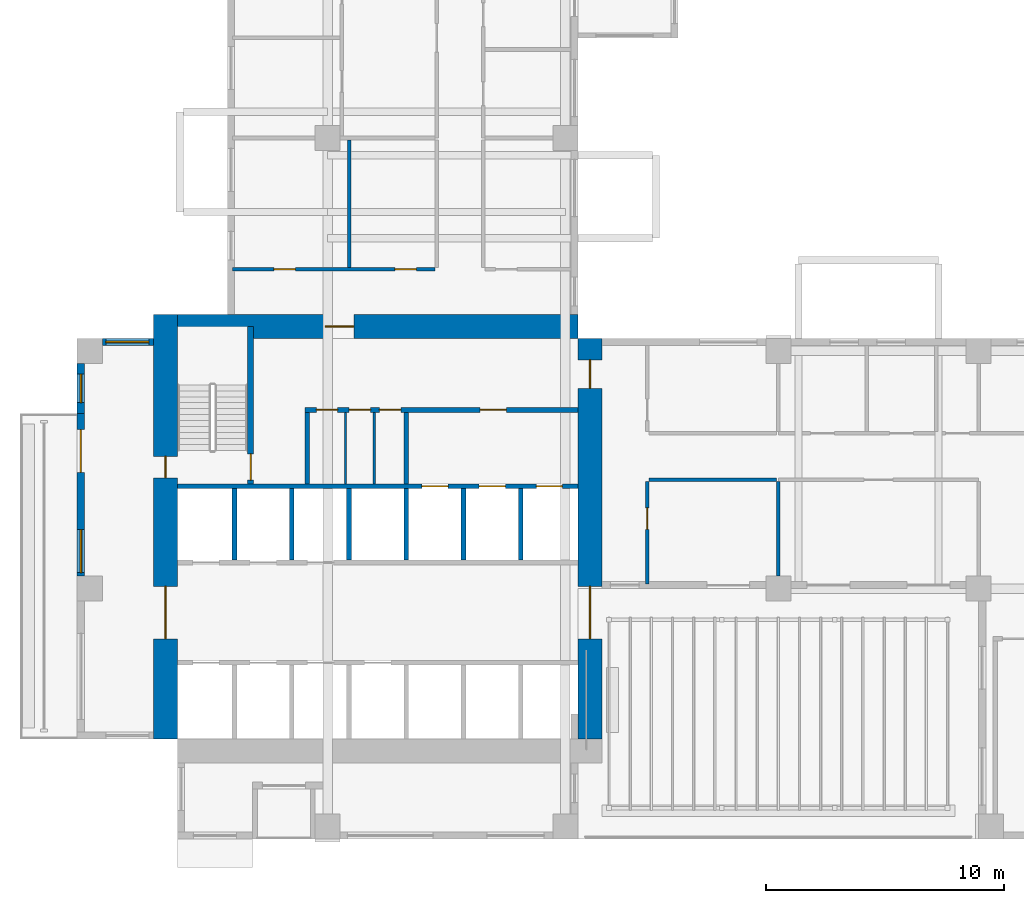
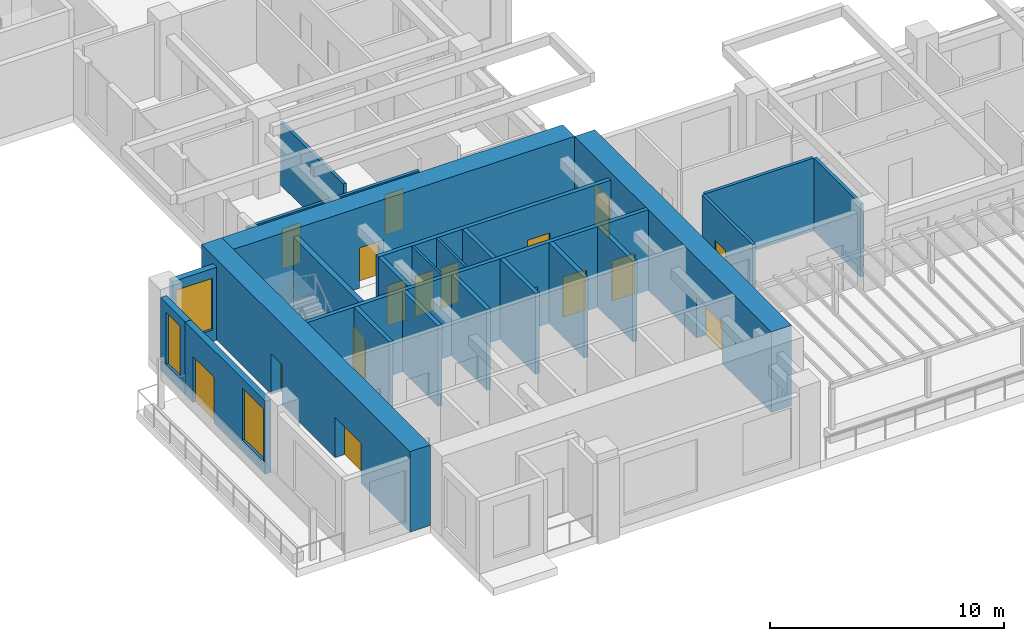
# One storey, part 4 of 15: 24 walls, 17 doors, 3 windows, 20 openings.
"""IFC4 building model written with IfcOpenShell, lengths in metres."""

from ifc_helpers import new_model, si_unit, direction, frame, frame_2d, origin, place, context, subcontext, project, spatial, rectangle, extrude, source, transform, mapped, material, layer, layer_set, type_object, element, fill, save


model = new_model("IFC4")

# Units and contexts
model_context = context("Model", 3, precision=1e-05, world=origin(), true_north=direction((0.0, 1.0)))
body_context = subcontext(model_context, "Body", "Model", "MODEL_VIEW")
ifc_project = project(units=[si_unit("LENGTHUNIT", "METRE"), si_unit("AREAUNIT", "SQUARE_METRE"), si_unit("VOLUMEUNIT", "CUBIC_METRE"), si_unit("PLANEANGLEUNIT", "RADIAN"), si_unit("MASSUNIT", "GRAM", prefix="KILO")], contexts=[model_context])

# Site, building, storey
site_placement = place(None, origin())
site = spatial("IfcSite", under=ifc_project, at=site_placement, CompositionType="ELEMENT")
building_placement = place(site_placement, origin())
building = spatial("IfcBuilding", under=site, at=building_placement, Name="Aurelian Terraces", CompositionType="ELEMENT")
storey_placement = place(building_placement, frame((0.0, 0.0, 145.5)))
storey = spatial("IfcBuildingStorey", under=building, at=storey_placement, Name="L32", CompositionType="ELEMENT", Elevation=145.5)

# Wall
ifc_material_1 = material(Name="Gypsum board on steel studs", Category="steel")
ifc_layer_1 = layer(ifc_material_1, 0.15)
ifc_layer_set_1 = layer_set([ifc_layer_1], Name="Partition 150")
wall_type_1 = type_object("IfcWallType", Name="Partition 150", PredefinedType="PARTITIONING", material=ifc_layer_set_1)
wall_1_placement = place(storey_placement, frame((11.4, 23.975, 0.0), z_axis=(0.0, 0.0, 1.0), x_axis=(0.0, 1.0, 0.0)))
element("IfcWall", 1, at=wall_1_placement, inside=storey, type_object=wall_type_1, Name="Partition", PredefinedType="PARTITIONING", context=body_context, shape_type="SweptSolid", body=[
    extrude(rectangle(XDim=5.35, YDim=0.15, at=frame_2d((2.675, 0.0))), origin(), (0.0, 0.0, 1.0), 3.3),
])

# Wall, openings, doors
ifc_material_2 = material(Name="Concrete fc' 83 MPa", Category="concrete")
ifc_layer_2 = layer(ifc_material_2, 1.0)
ifc_layer_set_2 = layer_set([ifc_layer_2], Name="CORE WALL 1000 FC83")
wall_type_2 = type_object("IfcWallType", Name="CORE WALL 1000 FC83", PredefinedType="SHEAR", material=ifc_layer_set_2)
shared_shape_1 = source(origin(), body_context, "Body", "SweptSolid", [
    extrude(rectangle(XDim=17.8, YDim=1.0, at=frame_2d((8.9, 0.0))), origin(), (0.0, 0.0, 1.0), 4.2),
])
wall_2_placement = place(storey_placement, frame((3.7, 4.2, 0.0), z_axis=(0.0, 0.0, 1.0), x_axis=(0.0, 1.0, 0.0)))
wall_2 = element("IfcWall", 2, at=wall_2_placement, inside=storey, type_object=wall_type_2, Name="Core wall W L32", PredefinedType="SHEAR", context=body_context, shape_type="MappedRepresentation", body=[
    mapped(shared_shape_1, transform((0.0, 0.0, 0.0), scale=1.0)),
])
shared_shape_2 = source(origin(), body_context, "Body", "SweptSolid", [
    extrude(rectangle(XDim=2.2, YDim=2.1, at=frame_2d((1.1, 1.05))), frame((0.0, 0.51, 0.0), z_axis=(0.0, -1.0, 0.0), x_axis=(1.0, 0.0, 0.0)), (0.0, 0.0, 1.0), 1.02),
])
opening_1_placement = place(wall_2_placement, frame((4.2, 0.0, 0.0)))
opening_1 = element("IfcOpeningElement", 3, at=opening_1_placement, cuts=wall_2, Name="Opening 63522", PredefinedType="OPENING", context=body_context, shape_type="MappedRepresentation", body=[
    mapped(shared_shape_2, transform((0.0, 0.0, 0.0), scale=1.0)),
])
shared_shape_3 = source(origin(), body_context, "Body", "SweptSolid", [
    extrude(rectangle(XDim=0.9, YDim=2.1, at=frame_2d((0.45, 1.05))), frame((0.0, 0.51, 0.0), z_axis=(0.0, -1.0, 0.0), x_axis=(1.0, 0.0, 0.0)), (0.0, 0.0, 1.0), 1.02),
])
opening_2_placement = place(wall_2_placement, frame((10.95, 0.0, 0.0)))
opening_2 = element("IfcOpeningElement", 4, at=opening_2_placement, cuts=wall_2, Name="Opening 63525", PredefinedType="OPENING", context=body_context, shape_type="MappedRepresentation", body=[
    mapped(shared_shape_3, transform((0.0, 0.0, 0.0), scale=1.0)),
])
ifc_material_3 = material(Name="Steel door leaf", Category="steel")
door_type_1 = type_object("IfcDoorType", Name="Core service door 900x2100 right", OperationType="SINGLE_SWING_RIGHT", PredefinedType="DOOR", material=ifc_material_3)
shared_shape_4 = source(origin(), body_context, "Body", "SweptSolid", [
    extrude(rectangle(XDim=0.9, YDim=2.1, at=frame_2d((0.45, 1.05))), frame((0.0, 0.025, 0.0), z_axis=(0.0, -1.0, 0.0), x_axis=(1.0, 0.0, 0.0)), (0.0, 0.0, 1.0), 0.05),
])
door_1_placement = place(opening_2_placement, origin())
door_1 = element("IfcDoor", 5, at=door_1_placement, inside=storey, type_object=door_type_1, Name="Core door 63525", OperationType="SINGLE_SWING_RIGHT", OverallHeight=2.1, OverallWidth=0.9, PredefinedType="DOOR", context=body_context, shape_type="MappedRepresentation", body=[
    mapped(shared_shape_4, transform((0.0, 0.0, 0.0), scale=1.0)),
])
fill(opening_2, door_1)
door_type_2 = type_object("IfcDoorType", Name="Core double door 2200x2100", OperationType="DOUBLE_DOOR_SINGLE_SWING", PredefinedType="DOOR", material=ifc_material_3)
shared_shape_5 = source(origin(), body_context, "Body", "SweptSolid", [
    extrude(rectangle(XDim=2.2, YDim=2.1, at=frame_2d((1.1, 1.05))), frame((0.0, 0.025, 0.0), z_axis=(0.0, -1.0, 0.0), x_axis=(1.0, 0.0, 0.0)), (0.0, 0.0, 1.0), 0.05),
])
door_2_placement = place(opening_1_placement, origin())
door_2 = element("IfcDoor", 6, at=door_2_placement, inside=storey, type_object=door_type_2, Name="Core door 63522", OperationType="DOUBLE_DOOR_SINGLE_SWING", OverallHeight=2.1, OverallWidth=2.2, PredefinedType="DOOR", context=body_context, shape_type="MappedRepresentation", body=[
    mapped(shared_shape_5, transform((0.0, 0.0, 0.0), scale=1.0)),
])
fill(opening_1, door_2)

shared_shape_6 = source(origin(), body_context, "Body", "SweptSolid", [
    extrude(rectangle(XDim=16.8, YDim=1.0, at=frame_2d((8.4, 0.0))), origin(), (0.0, 0.0, 1.0), 4.2),
])
wall_3_placement = place(storey_placement, frame((21.5, 4.2, 0.0), z_axis=(0.0, 0.0, 1.0), x_axis=(0.0, 1.0, 0.0)))
wall_3 = element("IfcWall", 7, at=wall_3_placement, inside=storey, type_object=wall_type_2, Name="Core wall E L32", PredefinedType="SHEAR", context=body_context, shape_type="MappedRepresentation", body=[
    mapped(shared_shape_6, transform((0.0, 0.0, 0.0), scale=1.0)),
])
opening_3_placement = place(wall_3_placement, frame((4.2, 0.0, 0.0)))
opening_3 = element("IfcOpeningElement", 8, at=opening_3_placement, cuts=wall_3, Name="Opening 63521", PredefinedType="OPENING", context=body_context, shape_type="MappedRepresentation", body=[
    mapped(shared_shape_2, transform((0.0, 0.0, 0.0), scale=1.0)),
])
shared_shape_7 = source(origin(), body_context, "Body", "SweptSolid", [
    extrude(rectangle(XDim=1.2, YDim=2.1, at=frame_2d((0.6, 1.05))), frame((0.0, 0.51, 0.0), z_axis=(0.0, -1.0, 0.0), x_axis=(1.0, 0.0, 0.0)), (0.0, 0.0, 1.0), 1.02),
])
opening_4_placement = place(wall_3_placement, frame((14.7, 0.0, 0.0)))
opening_4 = element("IfcOpeningElement", 9, at=opening_4_placement, cuts=wall_3, Name="Opening 63524", PredefinedType="OPENING", context=body_context, shape_type="MappedRepresentation", body=[
    mapped(shared_shape_7, transform((0.0, 0.0, 0.0), scale=1.0)),
])
door_type_3 = type_object("IfcDoorType", Name="Core fire door 1200x2100", OperationType="SINGLE_SWING_LEFT", PredefinedType="DOOR", material=ifc_material_3)
shared_shape_8 = source(origin(), body_context, "Body", "SweptSolid", [
    extrude(rectangle(XDim=1.2, YDim=2.1, at=frame_2d((0.6, 1.05))), frame((0.0, 0.025, 0.0), z_axis=(0.0, -1.0, 0.0), x_axis=(1.0, 0.0, 0.0)), (0.0, 0.0, 1.0), 0.05),
])
door_3_placement = place(opening_4_placement, origin())
door_3 = element("IfcDoor", 10, at=door_3_placement, inside=storey, type_object=door_type_3, Name="Core door 63524", OperationType="SINGLE_SWING_LEFT", OverallHeight=2.1, OverallWidth=1.2, PredefinedType="DOOR", context=body_context, shape_type="MappedRepresentation", body=[
    mapped(shared_shape_8, transform((0.0, 0.0, 0.0), scale=1.0)),
])
fill(opening_4, door_3)
door_4_placement = place(opening_3_placement, origin())
door_4 = element("IfcDoor", 11, at=door_4_placement, inside=storey, type_object=door_type_2, Name="Core door 63521", OperationType="DOUBLE_DOOR_SINGLE_SWING", OverallHeight=2.1, OverallWidth=2.2, PredefinedType="DOOR", context=body_context, shape_type="MappedRepresentation", body=[
    mapped(shared_shape_5, transform((0.0, 0.0, 0.0), scale=1.0)),
])
fill(opening_3, door_4)

# Wall, opening, door
wall_4_placement = place(storey_placement, frame((4.2, 21.5, 0.0), z_axis=(0.0, 0.0, 1.0), x_axis=(1.0, 0.0, 0.0)))
wall_4 = element("IfcWall", 12, at=wall_4_placement, inside=storey, type_object=wall_type_2, Name="Core wall N L32", PredefinedType="SHEAR", context=body_context, shape_type="MappedRepresentation", body=[
    mapped(shared_shape_6, transform((0.0, 0.0, 0.0), scale=1.0)),
])
opening_5_placement = place(wall_4_placement, frame((6.2, 0.0, 0.0)))
opening_5 = element("IfcOpeningElement", 13, at=opening_5_placement, cuts=wall_4, Name="Opening 63523", PredefinedType="OPENING", context=body_context, shape_type="MappedRepresentation", body=[
    mapped(shared_shape_7, transform((0.0, 0.0, 0.0), scale=1.0)),
])
door_type_4 = type_object("IfcDoorType", Name="Core fire door 1200x2100 right", OperationType="SINGLE_SWING_RIGHT", PredefinedType="DOOR", material=ifc_material_3)
door_5_placement = place(opening_5_placement, origin())
door_5 = element("IfcDoor", 14, at=door_5_placement, inside=storey, type_object=door_type_4, Name="Core door 63523", OperationType="SINGLE_SWING_RIGHT", OverallHeight=2.1, OverallWidth=1.2, PredefinedType="DOOR", context=body_context, shape_type="MappedRepresentation", body=[
    mapped(shared_shape_8, transform((0.0, 0.0, 0.0), scale=1.0)),
])
fill(opening_5, door_5)

# Wall, opening, window
ifc_material_4 = material(Name="Terracotta rainscreen cladding", Category="masonry")
ifc_layer_3 = layer(ifc_material_4, 0.3)
ifc_layer_set_3 = layer_set([ifc_layer_3], Name="EW-300")
wall_type_3 = type_object("IfcWallType", Name="EW-300", PredefinedType="STANDARD", material=ifc_layer_set_3)
shared_shape_9 = source(origin(), body_context, "Body", "SweptSolid", [
    extrude(rectangle(XDim=2.15, YDim=0.3, at=frame_2d((1.075, 0.0))), origin(), (0.0, 0.0, 1.0), 3.8),
])
wall_5_placement = place(storey_placement, frame((3.2, 20.85, 0.0), z_axis=(0.0, 0.0, 1.0), x_axis=(-1.0, 0.0, 0.0)))
wall_5 = element("IfcWall", 15, at=wall_5_placement, inside=storey, type_object=wall_type_3, Name="External wall L32 F23.39", PredefinedType="STANDARD", context=body_context, shape_type="MappedRepresentation", body=[
    mapped(shared_shape_9, transform((0.0, 0.0, 0.0), scale=1.0)),
])
shared_shape_10 = source(origin(), body_context, "Body", "SweptSolid", [
    extrude(rectangle(XDim=1.8, YDim=2.7, at=frame_2d((0.9, 1.35))), frame((0.0, 0.16, 0.0), z_axis=(0.0, -1.0, 0.0), x_axis=(1.0, 0.0, 0.0)), (0.0, 0.0, 1.0), 0.32),
])
opening_6_placement = place(wall_5_placement, frame((0.2, 0.0, 0.6)))
opening_6 = element("IfcOpeningElement", 16, at=opening_6_placement, cuts=wall_5, Name="Opening W1827", PredefinedType="OPENING", context=body_context, shape_type="MappedRepresentation", body=[
    mapped(shared_shape_10, transform((0.0, 0.0, 0.0), scale=1.0)),
])
ifc_material_5 = material(Name="Clear glazing", Category="glass")
window_type_1 = type_object("IfcWindowType", Name="W-1800x2700", PartitioningType="SINGLE_PANEL", PredefinedType="WINDOW", material=ifc_material_5)
shared_shape_11 = source(origin(), body_context, "Body", "SweptSolid", [
    extrude(rectangle(XDim=1.8, YDim=2.7, at=frame_2d((0.9, 1.35))), frame((0.0, 0.03, 0.0), z_axis=(0.0, -1.0, 0.0), x_axis=(1.0, 0.0, 0.0)), (0.0, 0.0, 1.0), 0.06),
])
window_1_placement = place(opening_6_placement, origin())
window_1 = element("IfcWindow", 17, at=window_1_placement, inside=storey, type_object=window_type_1, Name="Window L32 L32-F23-39-0", OverallHeight=2.7, OverallWidth=1.8, PartitioningType="SINGLE_PANEL", PredefinedType="WINDOW", context=body_context, shape_type="MappedRepresentation", body=[
    mapped(shared_shape_11, transform((0.0, 0.0, 0.0), scale=1.0)),
])
fill(opening_6, window_1)

shared_shape_12 = source(origin(), body_context, "Body", "SweptSolid", [
    extrude(rectangle(XDim=2.1, YDim=0.3, at=frame_2d((1.05, 0.0))), origin(), (0.0, 0.0, 1.0), 3.8),
])
wall_6_placement = place(storey_placement, frame((0.15, 19.95, 0.0), z_axis=(0.0, 0.0, 1.0), x_axis=(0.0, -1.0, 0.0)))
wall_6 = element("IfcWall", 18, at=wall_6_placement, inside=storey, type_object=wall_type_3, Name="External wall L32 F24.40", PredefinedType="STANDARD", context=body_context, shape_type="MappedRepresentation", body=[
    mapped(shared_shape_12, transform((0.0, 0.0, 0.0), scale=1.0)),
])
shared_shape_13 = source(origin(), body_context, "Body", "SweptSolid", [
    extrude(rectangle(XDim=1.2, YDim=2.7, at=frame_2d((0.6, 1.35))), frame((0.0, 0.16, 0.0), z_axis=(0.0, -1.0, 0.0), x_axis=(1.0, 0.0, 0.0)), (0.0, 0.0, 1.0), 0.32),
])
opening_7_placement = place(wall_6_placement, frame((0.45, 0.0, 0.6)))
opening_7 = element("IfcOpeningElement", 19, at=opening_7_placement, cuts=wall_6, Name="Opening W1227", PredefinedType="OPENING", context=body_context, shape_type="MappedRepresentation", body=[
    mapped(shared_shape_13, transform((0.0, 0.0, 0.0), scale=1.0)),
])
window_type_2 = type_object("IfcWindowType", Name="W-1200x2700", PartitioningType="SINGLE_PANEL", PredefinedType="WINDOW", material=ifc_material_5)
shared_shape_14 = source(origin(), body_context, "Body", "SweptSolid", [
    extrude(rectangle(XDim=1.2, YDim=2.7, at=frame_2d((0.6, 1.35))), frame((0.0, 0.03, 0.0), z_axis=(0.0, -1.0, 0.0), x_axis=(1.0, 0.0, 0.0)), (0.0, 0.0, 1.0), 0.06),
])
window_2_placement = place(opening_7_placement, origin())
window_2 = element("IfcWindow", 20, at=window_2_placement, inside=storey, type_object=window_type_2, Name="Window L32 L32-F24-40-P0", OverallHeight=2.7, OverallWidth=1.2, PartitioningType="SINGLE_PANEL", PredefinedType="WINDOW", context=body_context, shape_type="MappedRepresentation", body=[
    mapped(shared_shape_14, transform((0.0, 0.0, 0.0), scale=1.0)),
])
fill(opening_7, window_2)

# Wall, openings, door, window
shared_shape_15 = source(origin(), body_context, "Body", "SweptSolid", [
    extrude(rectangle(XDim=6.825, YDim=0.3, at=frame_2d((3.4125, 0.0))), origin(), (0.0, 0.0, 1.0), 3.8),
])
wall_7_placement = place(storey_placement, frame((0.15, 17.85, 0.0), z_axis=(0.0, 0.0, 1.0), x_axis=(0.0, -1.0, 0.0)))
wall_7 = element("IfcWall", 21, at=wall_7_placement, inside=storey, type_object=wall_type_3, Name="External wall L32 F24.41", PredefinedType="STANDARD", context=body_context, shape_type="MappedRepresentation", body=[
    mapped(shared_shape_15, transform((0.0, 0.0, 0.0), scale=1.0)),
])
shared_shape_16 = source(origin(), body_context, "Body", "SweptSolid", [
    extrude(rectangle(XDim=1.8, YDim=2.4, at=frame_2d((0.9, 1.2))), frame((0.0, 0.16, 0.0), z_axis=(0.0, -1.0, 0.0), x_axis=(1.0, 0.0, 0.0)), (0.0, 0.0, 1.0), 0.32),
])
opening_8_placement = place(wall_7_placement, frame((0.675, 0.0, 0.0)))
opening_8 = element("IfcOpeningElement", 22, at=opening_8_placement, cuts=wall_7, Name="Opening 83206", PredefinedType="OPENING", context=body_context, shape_type="MappedRepresentation", body=[
    mapped(shared_shape_16, transform((0.0, 0.0, 0.0), scale=1.0)),
])
opening_9_placement = place(wall_7_placement, frame((4.875, 0.0, 0.6)))
opening_9 = element("IfcOpeningElement", 23, at=opening_9_placement, cuts=wall_7, Name="Opening W1827", PredefinedType="OPENING", context=body_context, shape_type="MappedRepresentation", body=[
    mapped(shared_shape_10, transform((0.0, 0.0, 0.0), scale=1.0)),
])
door_type_5 = type_object("IfcDoorType", Name="BD-1800x2400", OperationType="SLIDING_TO_LEFT", PredefinedType="DOOR", material=ifc_material_5)
shared_shape_17 = source(origin(), body_context, "Body", "SweptSolid", [
    extrude(rectangle(XDim=1.8, YDim=2.4, at=frame_2d((0.9, 1.2))), frame((0.0, 0.025, 0.0), z_axis=(0.0, -1.0, 0.0), x_axis=(1.0, 0.0, 0.0)), (0.0, 0.0, 1.0), 0.05),
])
door_6_placement = place(opening_8_placement, origin())
door_6 = element("IfcDoor", 24, at=door_6_placement, inside=storey, type_object=door_type_5, Name="Balcony door L32 F24.41", OperationType="SLIDING_TO_LEFT", OverallHeight=2.4, OverallWidth=1.8, PredefinedType="DOOR", context=body_context, shape_type="MappedRepresentation", body=[
    mapped(shared_shape_17, transform((0.0, 0.0, 0.0), scale=1.0)),
])
fill(opening_8, door_6)
window_3_placement = place(opening_9_placement, origin())
window_3 = element("IfcWindow", 25, at=window_3_placement, inside=storey, type_object=window_type_1, Name="Window L32 L32-F24-41-1", OverallHeight=2.7, OverallWidth=1.8, PartitioningType="SINGLE_PANEL", PredefinedType="WINDOW", context=body_context, shape_type="MappedRepresentation", body=[
    mapped(shared_shape_11, transform((0.0, 0.0, 0.0), scale=1.0)),
])
fill(opening_9, window_3)

# Walls
ifc_material_6 = material(Name="Concrete fc' 40 MPa", Category="concrete")
ifc_layer_4 = layer(ifc_material_6, 0.2)
ifc_layer_set_4 = layer_set([ifc_layer_4], Name="Lift shaft wall 200")
wall_type_4 = type_object("IfcWallType", Name="Lift shaft wall 200", PredefinedType="SOLIDWALL", material=ifc_layer_set_4)
shared_shape_18 = source(origin(), body_context, "Body", "SweptSolid", [
    extrude(rectangle(XDim=3.0, YDim=0.2, at=frame_2d((1.5, 0.0))), origin(), (0.0, 0.0, 1.0), 4.2),
])
for number, where, z_axis, x_axis, name in (
    (26, (6.6, 11.7, 0.0), (0.0, 0.0, 1.0), (0.0, 1.0, 0.0), "L32 core wall CD-B1"),
    (27, (9.0, 11.7, 0.0), (0.0, 0.0, 1.0), (0.0, 1.0, 0.0), "L32 core wall CD-B2"),
    (28, (11.4, 11.7, 0.0), (0.0, 0.0, 1.0), (0.0, 1.0, 0.0), "L32 core wall CD-B3"),
    (29, (13.8, 11.7, 0.0), (0.0, 0.0, 1.0), (0.0, 1.0, 0.0), "L32 core wall CD-B4"),
    (30, (16.2, 11.7, 0.0), (0.0, 0.0, 1.0), (0.0, 1.0, 0.0), "L32 core wall CD-B5"),
    (31, (18.6, 11.7, 0.0), (0.0, 0.0, 1.0), (0.0, 1.0, 0.0), "L32 core wall CD-B6"),
):
    element("IfcWall", number, at=place(storey_placement, frame(where, z_axis=z_axis, x_axis=x_axis)), inside=storey, type_object=wall_type_4, Name=name, PredefinedType="SOLIDWALL", context=body_context, shape_type="MappedRepresentation", body=[
        mapped(shared_shape_18, transform((0.0, 0.0, 0.0), scale=1.0)),
    ])

# Wall, openings, doors
shared_shape_19 = source(origin(), body_context, "Body", "SweptSolid", [
    extrude(rectangle(XDim=16.8, YDim=0.2, at=frame_2d((8.4, 0.0))), origin(), (0.0, 0.0, 1.0), 4.2),
])
wall_8_placement = place(storey_placement, frame((4.2, 14.8, 0.0), z_axis=(0.0, 0.0, 1.0), x_axis=(1.0, 0.0, 0.0)))
wall_8 = element("IfcWall", 32, at=wall_8_placement, inside=storey, type_object=wall_type_4, Name="L32 core wall CF-BB1", PredefinedType="SOLIDWALL", context=body_context, shape_type="MappedRepresentation", body=[
    mapped(shared_shape_19, transform((0.0, 0.0, 0.0), scale=1.0)),
])
shared_shape_20 = source(origin(), body_context, "Body", "SweptSolid", [
    extrude(rectangle(XDim=1.1, YDim=2.1, at=frame_2d((0.55, 1.05))), frame((0.0, 0.11, 0.0), z_axis=(0.0, -1.0, 0.0), x_axis=(1.0, 0.0, 0.0)), (0.0, 0.0, 1.0), 0.22),
])
opening_10_placement = place(wall_8_placement, frame((10.25, 0.0, 0.0)))
opening_10 = element("IfcOpeningElement", 33, at=opening_10_placement, cuts=wall_8, Name="Opening 63507", PredefinedType="OPENING", context=body_context, shape_type="MappedRepresentation", body=[
    mapped(shared_shape_20, transform((0.0, 0.0, 0.0), scale=1.0)),
])
opening_11_placement = place(wall_8_placement, frame((12.65, 0.0, 0.0)))
opening_11 = element("IfcOpeningElement", 34, at=opening_11_placement, cuts=wall_8, Name="Opening 63508", PredefinedType="OPENING", context=body_context, shape_type="MappedRepresentation", body=[
    mapped(shared_shape_20, transform((0.0, 0.0, 0.0), scale=1.0)),
])
opening_12_placement = place(wall_8_placement, frame((15.05, 0.0, 0.0)))
opening_12 = element("IfcOpeningElement", 35, at=opening_12_placement, cuts=wall_8, Name="Opening 63509", PredefinedType="OPENING", context=body_context, shape_type="MappedRepresentation", body=[
    mapped(shared_shape_20, transform((0.0, 0.0, 0.0), scale=1.0)),
])
ifc_material_7 = material(Name="Stainless steel", Category="steel")
door_type_6 = type_object("IfcDoorType", Name="Lift landing door 1100x2100", OperationType="SLIDING_TO_LEFT", PredefinedType="DOOR", material=ifc_material_7)
shared_shape_21 = source(origin(), body_context, "Body", "SweptSolid", [
    extrude(rectangle(XDim=1.1, YDim=2.1, at=frame_2d((0.55, 1.05))), frame((0.0, 0.025, 0.0), z_axis=(0.0, -1.0, 0.0), x_axis=(1.0, 0.0, 0.0)), (0.0, 0.0, 1.0), 0.05),
])
door_7_placement = place(opening_10_placement, origin())
door_7 = element("IfcDoor", 36, at=door_7_placement, inside=storey, type_object=door_type_6, Name="Lift landing door F1 L32", OperationType="SLIDING_TO_LEFT", OverallHeight=2.1, OverallWidth=1.1, PredefinedType="DOOR", context=body_context, shape_type="MappedRepresentation", body=[
    mapped(shared_shape_21, transform((0.0, 0.0, 0.0), scale=1.0)),
])
fill(opening_10, door_7)
door_8_placement = place(opening_11_placement, origin())
door_8 = element("IfcDoor", 37, at=door_8_placement, inside=storey, type_object=door_type_6, Name="Lift landing door F2 L32", OperationType="SLIDING_TO_LEFT", OverallHeight=2.1, OverallWidth=1.1, PredefinedType="DOOR", context=body_context, shape_type="MappedRepresentation", body=[
    mapped(shared_shape_21, transform((0.0, 0.0, 0.0), scale=1.0)),
])
fill(opening_11, door_8)
door_9_placement = place(opening_12_placement, origin())
door_9 = element("IfcDoor", 38, at=door_9_placement, inside=storey, type_object=door_type_6, Name="Lift landing door F3 L32", OperationType="SLIDING_TO_LEFT", OverallHeight=2.1, OverallWidth=1.1, PredefinedType="DOOR", context=body_context, shape_type="MappedRepresentation", body=[
    mapped(shared_shape_21, transform((0.0, 0.0, 0.0), scale=1.0)),
])
fill(opening_12, door_9)

# Walls
ifc_layer_5 = layer(ifc_material_1, 0.2)
ifc_layer_set_5 = layer_set([ifc_layer_5], Name="Core partition 200")
wall_type_5 = type_object("IfcWallType", Name="Core partition 200", PredefinedType="PARTITIONING", material=ifc_layer_set_5)
shared_shape_22 = source(origin(), body_context, "Body", "SweptSolid", [
    extrude(rectangle(XDim=3.0, YDim=0.2, at=frame_2d((1.5, 0.0))), origin(), (0.0, 0.0, 1.0), 3.8),
])
for number, where, z_axis, x_axis, name in (
    (39, (9.65, 14.9, 0.0), (0.0, 0.0, 1.0), (0.0, 1.0, 0.0), "L32 core wall CP-VEST"),
    (40, (13.8, 14.9, 0.0), (0.0, 0.0, 1.0), (0.0, 1.0, 0.0), "L32 core wall CP-FFL"),
):
    element("IfcWall", number, at=place(storey_placement, frame(where, z_axis=z_axis, x_axis=x_axis)), inside=storey, type_object=wall_type_5, Name=name, PredefinedType="PARTITIONING", context=body_context, shape_type="MappedRepresentation", body=[
        mapped(shared_shape_22, transform((0.0, 0.0, 0.0), scale=1.0)),
    ])
ifc_layer_6 = layer(ifc_material_1, 0.1)
ifc_layer_set_6 = layer_set([ifc_layer_6], Name="Core partition 100")
wall_type_6 = type_object("IfcWallType", Name="Core partition 100", PredefinedType="PARTITIONING", material=ifc_layer_set_6)
shared_shape_23 = source(origin(), body_context, "Body", "SweptSolid", [
    extrude(rectangle(XDim=3.0, YDim=0.1, at=frame_2d((1.5, 0.0))), origin(), (0.0, 0.0, 1.0), 3.8),
])
for number, where, z_axis, x_axis, name in (
    (41, (11.25, 14.9, 0.0), (0.0, 0.0, 1.0), (0.0, 1.0, 0.0), "L32 core wall CP-SV1"),
    (42, (12.45, 14.9, 0.0), (0.0, 0.0, 1.0), (0.0, 1.0, 0.0), "L32 core wall CP-SV2"),
):
    element("IfcWall", number, at=place(storey_placement, frame(where, z_axis=z_axis, x_axis=x_axis)), inside=storey, type_object=wall_type_6, Name=name, PredefinedType="PARTITIONING", context=body_context, shape_type="MappedRepresentation", body=[
        mapped(shared_shape_23, transform((0.0, 0.0, 0.0), scale=1.0)),
    ])

# Wall, opening, door
ifc_layer_7 = layer(ifc_material_6, 0.25)
ifc_layer_set_7 = layer_set([ifc_layer_7], Name="Stair enclosure wall 250")
wall_type_7 = type_object("IfcWallType", Name="Stair enclosure wall 250", PredefinedType="SOLIDWALL", material=ifc_layer_set_7)
shared_shape_24 = source(origin(), body_context, "Body", "SweptSolid", [
    extrude(rectangle(XDim=6.6, YDim=0.25, at=frame_2d((3.3, 0.0))), origin(), (0.0, 0.0, 1.0), 3.8),
])
wall_9_placement = place(storey_placement, frame((7.275, 14.9, 0.0), z_axis=(0.0, 0.0, 1.0), x_axis=(0.0, 1.0, 0.0)))
wall_9 = element("IfcWall", 43, at=wall_9_placement, inside=storey, type_object=wall_type_7, Name="L32 core wall ST-S1-E", PredefinedType="SOLIDWALL", context=body_context, shape_type="MappedRepresentation", body=[
    mapped(shared_shape_24, transform((0.0, 0.0, 0.0), scale=1.0)),
])
shared_shape_25 = source(origin(), body_context, "Body", "SweptSolid", [
    extrude(rectangle(XDim=1.1, YDim=2.1, at=frame_2d((0.55, 1.05))), frame((0.0, 0.135, 0.0), z_axis=(0.0, -1.0, 0.0), x_axis=(1.0, 0.0, 0.0)), (0.0, 0.0, 1.0), 0.27),
])
opening_13_placement = place(wall_9_placement, frame((0.15, 0.0, 0.0)))
opening_13 = element("IfcOpeningElement", 44, at=opening_13_placement, cuts=wall_9, Name="Opening 63510", PredefinedType="OPENING", context=body_context, shape_type="MappedRepresentation", body=[
    mapped(shared_shape_25, transform((0.0, 0.0, 0.0), scale=1.0)),
])
door_type_7 = type_object("IfcDoorType", Name="Core fire door 1100x2100 right", OperationType="SINGLE_SWING_RIGHT", PredefinedType="DOOR", material=ifc_material_3)
door_10_placement = place(opening_13_placement, origin())
door_10 = element("IfcDoor", 45, at=door_10_placement, inside=storey, type_object=door_type_7, Name="Stair door 63510", OperationType="SINGLE_SWING_RIGHT", OverallHeight=2.1, OverallWidth=1.1, PredefinedType="DOOR", context=body_context, shape_type="MappedRepresentation", body=[
    mapped(shared_shape_21, transform((0.0, 0.0, 0.0), scale=1.0)),
])
fill(opening_13, door_10)

# Wall, openings, doors
shared_shape_26 = source(origin(), body_context, "Body", "SweptSolid", [
    extrude(rectangle(XDim=11.45, YDim=0.2, at=frame_2d((5.725, 0.0))), origin(), (0.0, 0.0, 1.0), 3.8),
])
wall_10_placement = place(storey_placement, frame((9.55, 18.0, 0.0), z_axis=(0.0, 0.0, 1.0), x_axis=(1.0, 0.0, 0.0)))
wall_10 = element("IfcWall", 46, at=wall_10_placement, inside=storey, type_object=wall_type_5, Name="L32 core wall CP-NORTH", PredefinedType="PARTITIONING", context=body_context, shape_type="MappedRepresentation", body=[
    mapped(shared_shape_26, transform((0.0, 0.0, 0.0), scale=1.0)),
])
shared_shape_27 = source(origin(), body_context, "Body", "SweptSolid", [
    extrude(rectangle(XDim=0.9, YDim=2.1, at=frame_2d((0.45, 1.05))), frame((0.0, 0.11, 0.0), z_axis=(0.0, -1.0, 0.0), x_axis=(1.0, 0.0, 0.0)), (0.0, 0.0, 1.0), 0.22),
])
opening_14_placement = place(wall_10_placement, frame((0.475, 0.0, 0.0)))
opening_14 = element("IfcOpeningElement", 47, at=opening_14_placement, cuts=wall_10, Name="Opening 63511", PredefinedType="OPENING", context=body_context, shape_type="MappedRepresentation", body=[
    mapped(shared_shape_27, transform((0.0, 0.0, 0.0), scale=1.0)),
])
opening_15_placement = place(wall_10_placement, frame((1.85, 0.0, 0.0)))
opening_15 = element("IfcOpeningElement", 48, at=opening_15_placement, cuts=wall_10, Name="Opening 63512", PredefinedType="OPENING", context=body_context, shape_type="MappedRepresentation", body=[
    mapped(shared_shape_27, transform((0.0, 0.0, 0.0), scale=1.0)),
])
opening_16_placement = place(wall_10_placement, frame((3.125, 0.0, 0.0)))
opening_16 = element("IfcOpeningElement", 49, at=opening_16_placement, cuts=wall_10, Name="Opening 63513", PredefinedType="OPENING", context=body_context, shape_type="MappedRepresentation", body=[
    mapped(shared_shape_27, transform((0.0, 0.0, 0.0), scale=1.0)),
])
opening_17_placement = place(wall_10_placement, frame((7.35, 0.0, 0.0)))
opening_17 = element("IfcOpeningElement", 50, at=opening_17_placement, cuts=wall_10, Name="Opening 63514", PredefinedType="OPENING", context=body_context, shape_type="MappedRepresentation", body=[
    mapped(shared_shape_20, transform((0.0, 0.0, 0.0), scale=1.0)),
])
door_type_8 = type_object("IfcDoorType", Name="Core service door 900x2100", OperationType="SINGLE_SWING_LEFT", PredefinedType="DOOR", material=ifc_material_3)
door_11_placement = place(opening_14_placement, origin())
door_11 = element("IfcDoor", 51, at=door_11_placement, inside=storey, type_object=door_type_8, Name="Room door 63511", OperationType="SINGLE_SWING_LEFT", OverallHeight=2.1, OverallWidth=0.9, PredefinedType="DOOR", context=body_context, shape_type="MappedRepresentation", body=[
    mapped(shared_shape_4, transform((0.0, 0.0, 0.0), scale=1.0)),
])
fill(opening_14, door_11)
door_type_9 = type_object("IfcDoorType", Name="Core riser door 900x2100 right", OperationType="SINGLE_SWING_RIGHT", PredefinedType="DOOR", material=ifc_material_3)
door_12_placement = place(opening_15_placement, origin())
door_12 = element("IfcDoor", 52, at=door_12_placement, inside=storey, type_object=door_type_9, Name="Room door 63512", OperationType="SINGLE_SWING_RIGHT", OverallHeight=2.1, OverallWidth=0.9, PredefinedType="DOOR", context=body_context, shape_type="MappedRepresentation", body=[
    mapped(shared_shape_4, transform((0.0, 0.0, 0.0), scale=1.0)),
])
fill(opening_15, door_12)
door_13_placement = place(opening_16_placement, origin())
door_13 = element("IfcDoor", 53, at=door_13_placement, inside=storey, type_object=door_type_8, Name="Room door 63513", OperationType="SINGLE_SWING_LEFT", OverallHeight=2.1, OverallWidth=0.9, PredefinedType="DOOR", context=body_context, shape_type="MappedRepresentation", body=[
    mapped(shared_shape_4, transform((0.0, 0.0, 0.0), scale=1.0)),
])
fill(opening_16, door_13)
door_14_placement = place(opening_17_placement, origin())
door_14 = element("IfcDoor", 54, at=door_14_placement, inside=storey, type_object=door_type_7, Name="Ff lobby door 63514", OperationType="SINGLE_SWING_RIGHT", OverallHeight=2.1, OverallWidth=1.1, PredefinedType="DOOR", context=body_context, shape_type="MappedRepresentation", body=[
    mapped(shared_shape_21, transform((0.0, 0.0, 0.0), scale=1.0)),
])
fill(opening_17, door_14)

# Wall, opening, door
shared_shape_28 = source(origin(), body_context, "Body", "SweptSolid", [
    extrude(rectangle(XDim=4.295, YDim=0.15, at=frame_2d((2.1475, 0.0))), origin(), (0.0, 0.0, 1.0), 3.8),
])
wall_11_placement = place(storey_placement, frame((23.9, 15.0, 0.0), z_axis=(0.0, 0.0, 1.0), x_axis=(0.0, -1.0, 0.0)))
wall_11 = element("IfcWall", 55, at=wall_11_placement, inside=storey, type_object=wall_type_1, Name="Partition", PredefinedType="PARTITIONING", context=body_context, shape_type="MappedRepresentation", body=[
    mapped(shared_shape_28, transform((0.0, 0.0, 0.0), scale=1.0)),
])
shared_shape_29 = source(origin(), body_context, "Body", "SweptSolid", [
    extrude(rectangle(XDim=0.9, YDim=2.1, at=frame_2d((0.45, 1.05))), frame((0.0, 0.085, 0.0), z_axis=(0.0, -1.0, 0.0), x_axis=(1.0, 0.0, 0.0)), (0.0, 0.0, 1.0), 0.17),
])
opening_18_placement = place(wall_11_placement, frame((1.1125, 0.0, 0.0)))
opening_18 = element("IfcOpeningElement", 56, at=opening_18_placement, cuts=wall_11, Name="Opening 732001", PredefinedType="OPENING", context=body_context, shape_type="MappedRepresentation", body=[
    mapped(shared_shape_29, transform((0.0, 0.0, 0.0), scale=1.0)),
])
ifc_material_8 = material(Name="Timber door leaf", Category="wood")
door_type_10 = type_object("IfcDoorType", Name="Room door 900x2100 left", OperationType="SINGLE_SWING_LEFT", PredefinedType="DOOR", material=ifc_material_8)
door_15_placement = place(opening_18_placement, origin())
door_15 = element("IfcDoor", 57, at=door_15_placement, inside=storey, type_object=door_type_10, Name="Door 732001", OperationType="SINGLE_SWING_LEFT", OverallHeight=2.1, OverallWidth=0.9, PredefinedType="DOOR", context=body_context, shape_type="MappedRepresentation", body=[
    mapped(shared_shape_4, transform((0.0, 0.0, 0.0), scale=1.0)),
])
fill(opening_18, door_15)

# Walls
shared_shape_30 = source(origin(), body_context, "Body", "SweptSolid", [
    extrude(rectangle(XDim=3.976, YDim=0.15, at=frame_2d((1.988, 0.0))), origin(), (0.0, 0.0, 1.0), 3.8),
])
wall_12_placement = place(storey_placement, frame((29.4, 11.024, 0.0), z_axis=(0.0, 0.0, 1.0), x_axis=(0.0, 1.0, 0.0)))
element("IfcWall", 58, at=wall_12_placement, inside=storey, type_object=wall_type_1, Name="Partition", PredefinedType="PARTITIONING", context=body_context, shape_type="MappedRepresentation", body=[
    mapped(shared_shape_30, transform((0.0, 0.0, 0.0), scale=1.0)),
])
ifc_layer_8 = layer(ifc_material_1, 0.15)
ifc_layer_set_8 = layer_set([ifc_layer_8], Name="Fire partition 150")
wall_type_8 = type_object("IfcWallType", Name="Fire partition 150", PredefinedType="PARTITIONING", material=ifc_layer_set_8)
shared_shape_31 = source(origin(), body_context, "Body", "SweptSolid", [
    extrude(rectangle(XDim=5.35, YDim=0.15, at=frame_2d((2.675, 0.0))), origin(), (0.0, 0.0, 1.0), 3.8),
])
wall_13_placement = place(storey_placement, frame((29.325, 15.075, 0.0), z_axis=(0.0, 0.0, 1.0), x_axis=(-1.0, 0.0, 0.0)))
element("IfcWall", 59, at=wall_13_placement, inside=storey, type_object=wall_type_8, Name="Corridor wall", PredefinedType="PARTITIONING", context=body_context, shape_type="MappedRepresentation", body=[
    mapped(shared_shape_31, transform((0.0, 0.0, 0.0), scale=1.0)),
])

# Wall, openings, doors
shared_shape_32 = source(origin(), body_context, "Body", "SweptSolid", [
    extrude(rectangle(XDim=8.495, YDim=0.15, at=frame_2d((4.2475, 0.0))), origin(), (0.0, 0.0, 1.0), 2.8),
])
wall_14_placement = place(storey_placement, frame((6.505, 23.9, 0.0), z_axis=(0.0, 0.0, 1.0), x_axis=(1.0, 0.0, 0.0)))
wall_14 = element("IfcWall", 60, at=wall_14_placement, inside=storey, type_object=wall_type_1, Name="Partition", PredefinedType="PARTITIONING", context=body_context, shape_type="MappedRepresentation", body=[
    mapped(shared_shape_32, transform((0.0, 0.0, 0.0), scale=1.0)),
])
opening_19_placement = place(wall_14_placement, frame((1.745, 0.0, 0.0)))
opening_19 = element("IfcOpeningElement", 61, at=opening_19_placement, cuts=wall_14, Name="Opening 732020", PredefinedType="OPENING", context=body_context, shape_type="MappedRepresentation", body=[
    mapped(shared_shape_29, transform((0.0, 0.0, 0.0), scale=1.0)),
])
opening_20_placement = place(wall_14_placement, frame((6.82, 0.0, 0.0)))
opening_20 = element("IfcOpeningElement", 62, at=opening_20_placement, cuts=wall_14, Name="Opening 732021", PredefinedType="OPENING", context=body_context, shape_type="MappedRepresentation", body=[
    mapped(shared_shape_29, transform((0.0, 0.0, 0.0), scale=1.0)),
])
door_type_11 = type_object("IfcDoorType", Name="Room door 900x2100 right", OperationType="SINGLE_SWING_RIGHT", PredefinedType="DOOR", material=ifc_material_8)
door_16_placement = place(opening_19_placement, origin())
door_16 = element("IfcDoor", 63, at=door_16_placement, inside=storey, type_object=door_type_11, Name="Door 732020", OperationType="SINGLE_SWING_RIGHT", OverallHeight=2.1, OverallWidth=0.9, PredefinedType="DOOR", context=body_context, shape_type="MappedRepresentation", body=[
    mapped(shared_shape_4, transform((0.0, 0.0, 0.0), scale=1.0)),
])
fill(opening_19, door_16)
door_17_placement = place(opening_20_placement, origin())
door_17 = element("IfcDoor", 64, at=door_17_placement, inside=storey, type_object=door_type_10, Name="Door 732021", OperationType="SINGLE_SWING_LEFT", OverallHeight=2.1, OverallWidth=0.9, PredefinedType="DOOR", context=body_context, shape_type="MappedRepresentation", body=[
    mapped(shared_shape_4, transform((0.0, 0.0, 0.0), scale=1.0)),
])
fill(opening_20, door_17)

save(model, "model.ifc")
